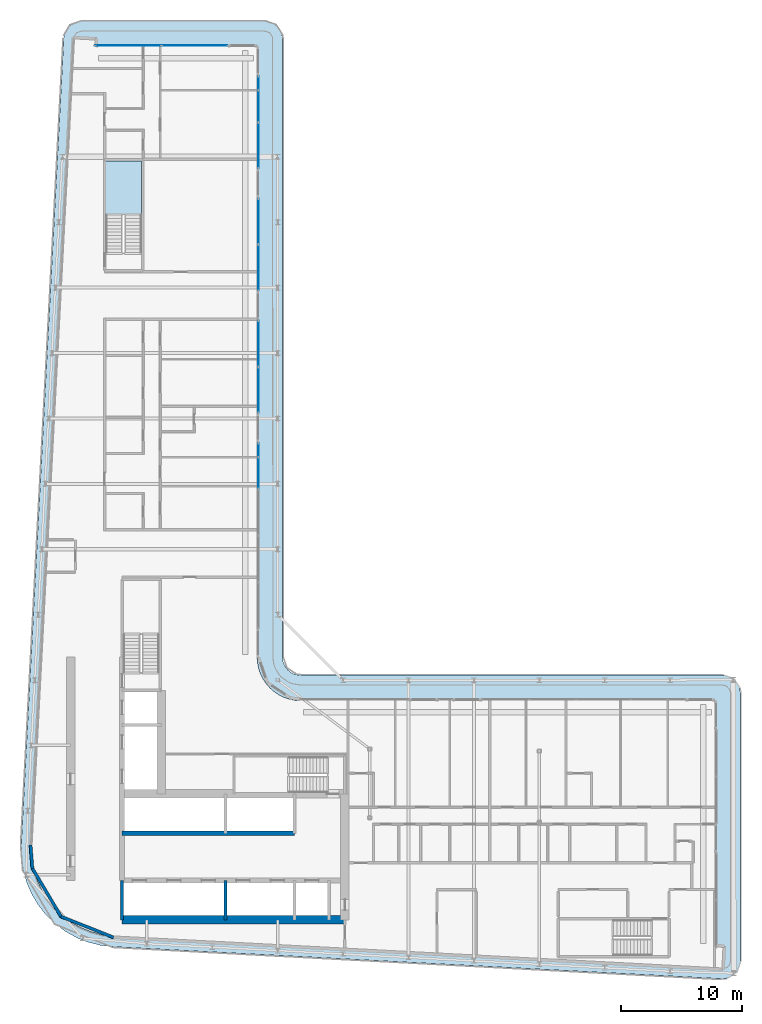
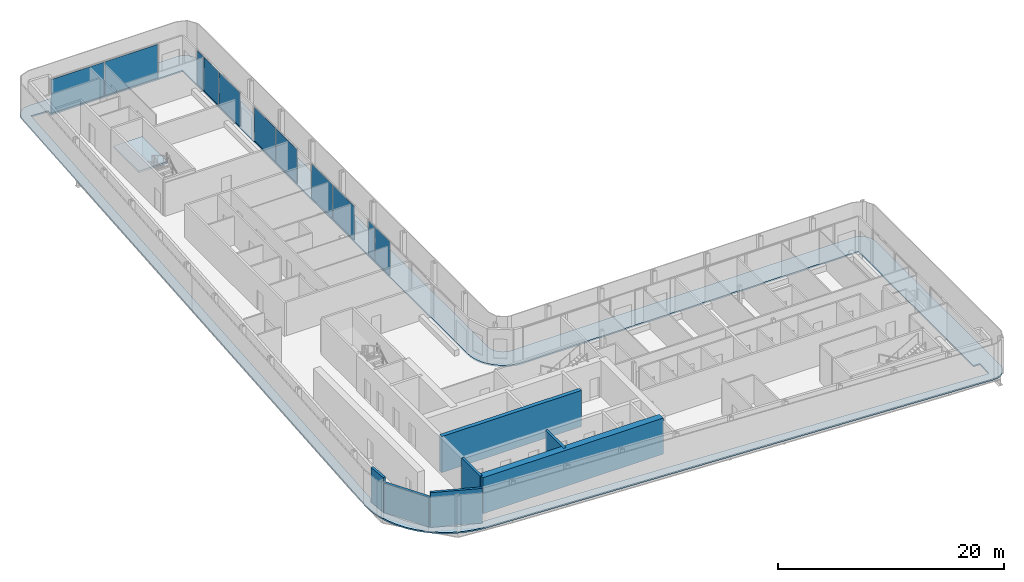
# One storey, part 9 of 23: 11 plates, 7 walls, 2 slabs, 6 elements without a shape of their own.
"""IFC4 building model written with IfcOpenShell, lengths in metres."""

from ifc_helpers import new_model, si_unit, direction, frame, frame_2d, origin, origin_2d, place, context, subcontext, project, spatial, polyline, rectangle, outline, extrude, material, layer, layer_set, type_object, element, aggregate, save


model = new_model("IFC4")

# Units and contexts
model_context = context("Model", 3, precision=1e-05, world=origin(), true_north=direction((0.0, 1.0)))
body_context = subcontext(model_context, "Body", "Model", "MODEL_VIEW")
ifc_project = project(units=[si_unit("LENGTHUNIT", "METRE"), si_unit("AREAUNIT", "SQUARE_METRE"), si_unit("VOLUMEUNIT", "CUBIC_METRE"), si_unit("PLANEANGLEUNIT", "RADIAN"), si_unit("MASSUNIT", "GRAM", prefix="KILO")], contexts=[model_context])

# Site, building, storey
site_placement = place(None, origin())
site = spatial("IfcSite", under=ifc_project, at=site_placement, CompositionType="ELEMENT")
building_placement = place(site_placement, origin())
building = spatial("IfcBuilding", under=site, at=building_placement, Name="Kheshtan School and Residences Tower", CompositionType="ELEMENT")
storey_placement = place(building_placement, frame((0.0, 0.0, 259.10009765625)))
storey = spatial("IfcBuildingStorey", under=building, at=storey_placement, Name="L61", CompositionType="ELEMENT", Elevation=259.10009765625)

# Curtain wall, plates
ifc_material_1 = material(Name="Clear low-e glass in thermally broken aluminium frame", Category="aluminium")
ifc_layer_1 = layer(ifc_material_1, 0.199951171875)
ifc_layer_set_1 = layer_set([ifc_layer_1], Name="Curtain wall CW-L")
curtain_wall_type = type_object("IfcCurtainWallType", Name="Curtain wall CW-L", PredefinedType="NOTDEFINED", material=ifc_layer_set_1)
curtain_wall_1_placement = place(storey_placement, origin())
curtain_wall_1 = element("IfcCurtainWall", 1, at=curtain_wall_1_placement, inside=storey, type_object=curtain_wall_type, Name="Curtain wall CWL7", PredefinedType="NOTDEFINED")
ifc_layer_2 = layer(ifc_material_1, 0.031982421875)
ifc_layer_set_2 = layer_set([ifc_layer_2], Name="CW-L glass panel")
plate_type = type_object("IfcPlateType", Name="CW-L glass panel", PredefinedType="CURTAIN_PANEL", material=ifc_layer_set_2)
plate_1_placement = place(storey_placement, frame((35.259033203125, 98.0, 0.0), z_axis=(0.0, 0.0, 1.0), x_axis=(1.0, 0.0, 0.0)))
plate_1 = element("IfcPlate", 2, at=plate_1_placement, type_object=plate_type, Name="CWL7 panel 1.1", PredefinedType="CURTAIN_PANEL", context=body_context, shape_type="SweptSolid", body=[
    extrude(rectangle(XDim=5.4140625, YDim=0.031982421875, at=origin_2d()), origin(), (0.0, 0.0, 1.0), 3.6298828125),
])
plate_2_placement = place(storey_placement, frame((40.73291015625, 98.0, 0.0), z_axis=(0.0, 0.0, 1.0), x_axis=(1.0, 0.0, 0.0)))
plate_2 = element("IfcPlate", 3, at=plate_2_placement, type_object=plate_type, Name="CWL7 panel 2.1", PredefinedType="CURTAIN_PANEL", context=body_context, shape_type="SweptSolid", body=[
    extrude(rectangle(XDim=5.4140625, YDim=0.031982421875, at=origin_2d()), origin(), (0.0, 0.0, 1.0), 3.6298828125),
])
aggregate(curtain_wall_1, [plate_1, plate_2])

curtain_wall_2_placement = place(storey_placement, origin())
curtain_wall_2 = element("IfcCurtainWall", 4, at=curtain_wall_2_placement, inside=storey, type_object=curtain_wall_type, Name="Curtain wall CWL8c", PredefinedType="NOTDEFINED")
plate_3_placement = place(storey_placement, frame((46.0, 94.885009765625, 0.0), z_axis=(0.0, 0.0, 1.0), x_axis=(0.0, -1.0, 0.0)))
plate_3 = element("IfcPlate", 5, at=plate_3_placement, type_object=plate_type, Name="CWL8c panel 1.1", PredefinedType="CURTAIN_PANEL", context=body_context, shape_type="SweptSolid", body=[
    extrude(rectangle(XDim=1.110107421875, YDim=0.031982421875, at=origin_2d()), origin(), (0.0, 0.0, 1.0), 3.6298828125),
])
plate_4_placement = place(storey_placement, frame((46.0, 92.9765625, 0.0), z_axis=(0.0, 0.0, 1.0), x_axis=(0.0, -1.0, 0.0)))
plate_4 = element("IfcPlate", 6, at=plate_4_placement, type_object=plate_type, Name="CWL8c panel 2.1", PredefinedType="CURTAIN_PANEL", context=body_context, shape_type="SweptSolid", body=[
    extrude(rectangle(XDim=2.5869140625, YDim=0.031982421875, at=origin_2d()), origin(), (0.0, 0.0, 1.0), 3.6298828125),
])
plate_5_placement = place(storey_placement, frame((46.0, 89.744384765625, 0.0), z_axis=(0.0, 0.0, 1.0), x_axis=(0.0, -1.0, 0.0)))
plate_5 = element("IfcPlate", 7, at=plate_5_placement, type_object=plate_type, Name="CWL8c panel 3.1", PredefinedType="CURTAIN_PANEL", context=body_context, shape_type="SweptSolid", body=[
    extrude(rectangle(XDim=3.757080078125, YDim=0.031982421875, at=origin_2d()), origin(), (0.0, 0.0, 1.0), 3.6298828125),
])
aggregate(curtain_wall_2, [plate_3, plate_4, plate_5])

curtain_wall_3_placement = place(storey_placement, origin())
curtain_wall_3 = element("IfcCurtainWall", 8, at=curtain_wall_3_placement, inside=storey, type_object=curtain_wall_type, Name="Curtain wall CWL8", PredefinedType="NOTDEFINED")
plate_6_placement = place(storey_placement, frame((46.0, 83.467529296875, 0.0), z_axis=(0.0, 0.0, 1.0), x_axis=(0.0, -1.0, 0.0)))
plate_6 = element("IfcPlate", 9, at=plate_6_placement, type_object=plate_type, Name="CWL8 panel 1.1", PredefinedType="CURTAIN_PANEL", context=body_context, shape_type="SweptSolid", body=[
    extrude(rectangle(XDim=3.757080078125, YDim=0.031982421875, at=origin_2d()), origin(), (0.0, 0.0, 1.0), 3.6298828125),
])
plate_7_placement = place(storey_placement, frame((46.0, 79.650390625, 0.0), z_axis=(0.0, 0.0, 1.0), x_axis=(0.0, -1.0, 0.0)))
plate_7 = element("IfcPlate", 10, at=plate_7_placement, type_object=plate_type, Name="CWL8 panel 2.1", PredefinedType="CURTAIN_PANEL", context=body_context, shape_type="SweptSolid", body=[
    extrude(rectangle(XDim=3.757080078125, YDim=0.031982421875, at=origin_2d()), origin(), (0.0, 0.0, 1.0), 3.6298828125),
])
aggregate(curtain_wall_3, [plate_6, plate_7])

curtain_wall_4_placement = place(storey_placement, origin())
curtain_wall_4 = element("IfcCurtainWall", 11, at=curtain_wall_4_placement, inside=storey, type_object=curtain_wall_type, Name="Curtain wall CWL8", PredefinedType="NOTDEFINED")
plate_8_placement = place(storey_placement, frame((46.0, 73.37353515625, 0.0), z_axis=(0.0, 0.0, 1.0), x_axis=(0.0, -1.0, 0.0)))
plate_8 = element("IfcPlate", 12, at=plate_8_placement, type_object=plate_type, Name="CWL8 panel 1.1", PredefinedType="CURTAIN_PANEL", context=body_context, shape_type="SweptSolid", body=[
    extrude(rectangle(XDim=3.757080078125, YDim=0.031982421875, at=origin_2d()), origin(), (0.0, 0.0, 1.0), 3.6298828125),
])
plate_9_placement = place(storey_placement, frame((46.0, 69.556396484375, 0.0), z_axis=(0.0, 0.0, 1.0), x_axis=(0.0, -1.0, 0.0)))
plate_9 = element("IfcPlate", 13, at=plate_9_placement, type_object=plate_type, Name="CWL8 panel 2.1", PredefinedType="CURTAIN_PANEL", context=body_context, shape_type="SweptSolid", body=[
    extrude(rectangle(XDim=3.757080078125, YDim=0.031982421875, at=origin_2d()), origin(), (0.0, 0.0, 1.0), 3.6298828125),
])
aggregate(curtain_wall_4, [plate_8, plate_9])

curtain_wall_5_placement = place(storey_placement, origin())
curtain_wall_5 = element("IfcCurtainWall", 14, at=curtain_wall_5_placement, inside=storey, type_object=curtain_wall_type, Name="Curtain wall CWL8c", PredefinedType="NOTDEFINED")
plate_10_placement = place(storey_placement, frame((46.0, 64.593994140625, 0.0), z_axis=(0.0, 0.0, 1.0), x_axis=(0.0, -1.0, 0.0)))
plate_10 = element("IfcPlate", 15, at=plate_10_placement, type_object=plate_type, Name="CWL8c panel 1.1", PredefinedType="CURTAIN_PANEL", context=body_context, shape_type="SweptSolid", body=[
    extrude(rectangle(XDim=1.1279296875, YDim=0.031982421875, at=origin_2d()), origin(), (0.0, 0.0, 1.0), 3.6298828125),
])
plate_11_placement = place(storey_placement, frame((46.0, 62.685546875, 0.0), z_axis=(0.0, 0.0, 1.0), x_axis=(0.0, -1.0, 0.0)))
plate_11 = element("IfcPlate", 16, at=plate_11_placement, type_object=plate_type, Name="CWL8c panel 2.1", PredefinedType="CURTAIN_PANEL", context=body_context, shape_type="SweptSolid", body=[
    extrude(rectangle(XDim=2.569091796875, YDim=0.031982421875, at=origin_2d()), origin(), (0.0, 0.0, 1.0), 3.6298828125),
])
aggregate(curtain_wall_5, [plate_10, plate_11])

# Slab
ifc_material_2 = material(Name="Concrete C40/50", Category="concrete")
ifc_layer_3 = layer(ifc_material_2, 0.14990234375)
ifc_layer_set_3 = layer_set([ifc_layer_3], Name="Loggia balcony slab 150 Concrete C40/50")
slab_type_1 = type_object("IfcSlabType", Name="Loggia balcony slab 150 Concrete C40/50", PredefinedType="FLOOR", material=ifc_layer_set_3)
slab_1_placement = place(storey_placement, frame((0.0, 0.0, -0.150146484375)))
element("IfcSlab", 17, at=slab_1_placement, inside=storey, type_object=slab_type_1, Name="Loggia balcony slab L61", PredefinedType="FLOOR", context=body_context, shape_type="SweptSolid", body=[
    extrude(outline(polyline([(28.4580078125, 26.222900390625), (28.45703125, 26.222900390625), (28.45703125, 26.22412109375), (28.4560546875, 26.22412109375), (27.81494140625, 27.0390625), (27.281005859375, 27.93798828125), (26.867919921875, 28.89990234375), (26.583984375, 29.89990234375), (26.583984375, 29.906982421875), (26.43408203125, 30.943115234375), (26.419921875, 31.989013671875), (29.925048828125, 98.5791015625), (29.930908203125, 98.626953125), (29.930908203125, 98.6279296875), (29.929931640625, 98.6279296875), (29.929931640625, 98.62890625), (29.928955078125, 98.62890625), (29.928955078125, 98.6298828125), (29.927978515625, 98.6298828125), (29.927978515625, 98.631103515625), (29.927001953125, 98.631103515625), (29.927001953125, 98.632080078125), (29.927001953125, 98.633056640625), (29.945068359375, 98.781005859375), (29.945068359375, 98.783935546875), (29.945068359375, 98.784912109375), (29.946044921875, 98.784912109375), (29.946044921875, 98.785888671875), (29.947021484375, 98.785888671875), (29.947021484375, 98.787109375), (29.947998046875, 98.787109375), (29.948974609375, 98.787109375), (29.948974609375, 98.7880859375), (29.949951171875, 98.7880859375), (29.949951171875, 98.7890625), (29.949951171875, 98.791015625), (30.0029296875, 98.98388671875), (30.083984375, 99.175048828125), (30.18896484375, 99.35302734375), (30.31103515625, 99.507080078125), (30.31201171875, 99.507080078125), (30.31201171875, 99.508056640625), (30.31298828125, 99.508056640625), (30.31298828125, 99.509033203125), (30.31396484375, 99.509033203125), (30.31396484375, 99.510009765625), (30.31494140625, 99.510009765625), (30.31494140625, 99.510986328125), (30.31591796875, 99.510986328125), (30.31591796875, 99.511962890625), (30.31689453125, 99.511962890625), (30.31689453125, 99.512939453125), (30.318115234375, 99.512939453125), (30.322021484375, 99.512939453125), (30.322998046875, 99.512939453125), (30.322998046875, 99.513916015625), (30.468017578125, 99.656982421875), (30.468994140625, 99.656982421875), (30.468994140625, 99.657958984375), (30.469970703125, 99.657958984375), (30.469970703125, 99.658935546875), (30.470947265625, 99.658935546875), (30.470947265625, 99.659912109375), (30.471923828125, 99.659912109375), (30.471923828125, 99.660888671875), (30.472900390625, 99.660888671875), (30.472900390625, 99.662109375), (30.47412109375, 99.662109375), (30.47412109375, 99.6630859375), (30.47509765625, 99.6630859375), (30.47509765625, 99.6640625), (30.635986328125, 99.777099609375), (30.820068359375, 99.873046875), (31.007080078125, 99.943115234375), (31.013916015625, 99.943115234375), (31.217041015625, 99.986083984375), (31.423095703125, 100.0), (46.5, 100.0), (46.696044921875, 99.987060546875), (46.887939453125, 99.948974609375), (46.89501953125, 99.948974609375), (47.073974609375, 99.885986328125), (47.242919921875, 99.801025390625), (47.243896484375, 99.801025390625), (47.2470703125, 99.801025390625), (47.248046875, 99.801025390625), (47.248046875, 99.802001953125), (47.2490234375, 99.802001953125), (47.2490234375, 99.802978515625), (47.25, 99.802978515625), (47.2529296875, 99.802978515625), (47.25390625, 99.802978515625), (47.25390625, 99.802001953125), (47.2548828125, 99.802001953125), (47.2548828125, 99.801025390625), (47.256103515625, 99.801025390625), (47.256103515625, 99.800048828125), (47.257080078125, 99.800048828125), (47.257080078125, 99.799072265625), (47.258056640625, 99.799072265625), (47.258056640625, 99.798095703125), (47.412109375, 99.696044921875), (47.4130859375, 99.696044921875), (47.4130859375, 99.695068359375), (47.4140625, 99.695068359375), (47.4140625, 99.694091796875), (47.4140625, 99.68994140625), (47.4140625, 99.68896484375), (47.4150390625, 99.68896484375), (47.4150390625, 99.68798828125), (47.416015625, 99.68798828125), (47.416015625, 99.68701171875), (47.4169921875, 99.68701171875), (47.4169921875, 99.68603515625), (47.554931640625, 99.568115234375), (47.554931640625, 99.56689453125), (47.555908203125, 99.56689453125), (47.555908203125, 99.56591796875), (47.556884765625, 99.56591796875), (47.556884765625, 99.56494140625), (47.55810546875, 99.56494140625), (47.55810546875, 99.56396484375), (47.55908203125, 99.56396484375), (47.55908203125, 99.56298828125), (47.56005859375, 99.56298828125), (47.56005859375, 99.56201171875), (47.56103515625, 99.56201171875), (47.56201171875, 99.56103515625), (47.56201171875, 99.56005859375), (47.56298828125, 99.56005859375), (47.56298828125, 99.55908203125), (47.56396484375, 99.55908203125), (47.56396484375, 99.55810546875), (47.56494140625, 99.55810546875), (47.56494140625, 99.556884765625), (47.56591796875, 99.556884765625), (47.56591796875, 99.555908203125), (47.56689453125, 99.555908203125), (47.56689453125, 99.554931640625), (47.568115234375, 99.554931640625), (47.68505859375, 99.41796875), (47.68603515625, 99.41796875), (47.68603515625, 99.4169921875), (47.68701171875, 99.4169921875), (47.68701171875, 99.416015625), (47.68798828125, 99.416015625), (47.68798828125, 99.4150390625), (47.68896484375, 99.4150390625), (47.68896484375, 99.4140625), (47.68994140625, 99.4140625), (47.694091796875, 99.4140625), (47.695068359375, 99.4140625), (47.695068359375, 99.4130859375), (47.696044921875, 99.4130859375), (47.696044921875, 99.412109375), (47.797119140625, 99.259033203125), (47.798095703125, 99.259033203125), (47.798095703125, 99.258056640625), (47.799072265625, 99.258056640625), (47.799072265625, 99.257080078125), (47.800048828125, 99.257080078125), (47.800048828125, 99.256103515625), (47.801025390625, 99.256103515625), (47.801025390625, 99.2548828125), (47.802001953125, 99.2548828125), (47.802001953125, 99.25390625), (47.802978515625, 99.25390625), (47.802978515625, 99.2529296875), (47.802978515625, 99.25), (47.802978515625, 99.2490234375), (47.802001953125, 99.2490234375), (47.802001953125, 99.248046875), (47.801025390625, 99.248046875), (47.801025390625, 99.2470703125), (47.801025390625, 99.242919921875), (47.801025390625, 99.241943359375), (47.885986328125, 99.073974609375), (47.948974609375, 98.89501953125), (47.948974609375, 98.887939453125), (47.987060546875, 98.696044921875), (48.0, 98.5), (48.0, 47.5), (48.012939453125, 47.303955078125), (48.051025390625, 47.113037109375), (48.051025390625, 47.10693359375), (48.051025390625, 47.10595703125), (48.114013671875, 46.926025390625), (48.200927734375, 46.75), (48.31005859375, 46.5869140625), (48.431884765625, 46.444091796875), (48.43310546875, 46.444091796875), (48.43310546875, 46.443115234375), (48.43408203125, 46.443115234375), (48.43408203125, 46.44189453125), (48.43505859375, 46.44189453125), (48.43505859375, 46.44091796875), (48.43603515625, 46.44091796875), (48.43603515625, 46.43994140625), (48.43701171875, 46.43994140625), (48.43701171875, 46.43896484375), (48.43798828125, 46.43896484375), (48.43896484375, 46.43798828125), (48.43896484375, 46.43701171875), (48.43994140625, 46.43701171875), (48.43994140625, 46.43603515625), (48.44091796875, 46.43603515625), (48.44091796875, 46.43505859375), (48.44189453125, 46.43505859375), (48.44189453125, 46.43408203125), (48.443115234375, 46.43408203125), (48.443115234375, 46.43310546875), (48.444091796875, 46.43310546875), (48.444091796875, 46.431884765625), (48.5869140625, 46.31005859375), (48.75, 46.200927734375), (48.926025390625, 46.114013671875), (49.10595703125, 46.051025390625), (49.10693359375, 46.051025390625), (49.113037109375, 46.051025390625), (49.303955078125, 46.012939453125), (49.5, 46.0), (84.300048828125, 46.0), (84.49609375, 45.987060546875), (84.68798828125, 45.948974609375), (84.695068359375, 45.948974609375), (84.8740234375, 45.885986328125), (85.0419921875, 45.801025390625), (85.04296875, 45.801025390625), (85.047119140625, 45.801025390625), (85.048095703125, 45.801025390625), (85.048095703125, 45.802001953125), (85.049072265625, 45.802001953125), (85.049072265625, 45.802978515625), (85.050048828125, 45.802978515625), (85.052978515625, 45.802978515625), (85.053955078125, 45.802978515625), (85.053955078125, 45.802001953125), (85.054931640625, 45.802001953125), (85.054931640625, 45.801025390625), (85.055908203125, 45.801025390625), (85.055908203125, 45.800048828125), (85.056884765625, 45.800048828125), (85.056884765625, 45.799072265625), (85.05810546875, 45.799072265625), (85.05810546875, 45.798095703125), (85.05908203125, 45.798095703125), (85.05908203125, 45.797119140625), (85.06005859375, 45.797119140625), (85.06005859375, 45.7958984375), (85.2119140625, 45.696044921875), (85.212890625, 45.696044921875), (85.212890625, 45.695068359375), (85.214111328125, 45.695068359375), (85.214111328125, 45.694091796875), (85.214111328125, 45.68994140625), (85.214111328125, 45.68896484375), (85.215087890625, 45.68896484375), (85.215087890625, 45.68798828125), (85.216064453125, 45.68798828125), (85.216064453125, 45.68701171875), (85.217041015625, 45.68701171875), (85.217041015625, 45.68603515625), (85.218017578125, 45.68603515625), (85.218017578125, 45.68505859375), (85.218994140625, 45.68505859375), (85.218994140625, 45.68408203125), (85.35498046875, 45.568115234375), (85.35498046875, 45.56689453125), (85.35595703125, 45.56689453125), (85.35595703125, 45.56591796875), (85.35693359375, 45.56591796875), (85.35693359375, 45.56494140625), (85.35791015625, 45.56494140625), (85.35791015625, 45.56396484375), (85.35888671875, 45.56396484375), (85.35888671875, 45.56298828125), (85.360107421875, 45.56298828125), (85.360107421875, 45.56201171875), (85.361083984375, 45.56201171875), (85.362060546875, 45.56103515625), (85.362060546875, 45.56005859375), (85.363037109375, 45.56005859375), (85.363037109375, 45.55908203125), (85.364013671875, 45.55908203125), (85.364013671875, 45.55810546875), (85.364990234375, 45.55810546875), (85.364990234375, 45.556884765625), (85.365966796875, 45.556884765625), (85.365966796875, 45.555908203125), (85.366943359375, 45.555908203125), (85.366943359375, 45.554931640625), (85.367919921875, 45.554931640625), (85.48193359375, 45.4208984375), (85.48291015625, 45.4208984375), (85.48291015625, 45.419921875), (85.48388671875, 45.419921875), (85.48388671875, 45.4189453125), (85.485107421875, 45.4189453125), (85.485107421875, 45.41796875), (85.486083984375, 45.41796875), (85.486083984375, 45.4169921875), (85.487060546875, 45.4169921875), (85.487060546875, 45.416015625), (85.488037109375, 45.416015625), (85.488037109375, 45.4150390625), (85.489013671875, 45.4150390625), (85.489013671875, 45.4140625), (85.489990234375, 45.4140625), (85.493896484375, 45.4140625), (85.4951171875, 45.4140625), (85.4951171875, 45.4130859375), (85.49609375, 45.4130859375), (85.49609375, 45.412109375), (85.593994140625, 45.261962890625), (85.594970703125, 45.261962890625), (85.594970703125, 45.260986328125), (85.595947265625, 45.260986328125), (85.595947265625, 45.260009765625), (85.596923828125, 45.260009765625), (85.596923828125, 45.259033203125), (85.597900390625, 45.259033203125), (85.597900390625, 45.258056640625), (85.59912109375, 45.258056640625), (85.59912109375, 45.257080078125), (85.60009765625, 45.257080078125), (85.60009765625, 45.256103515625), (85.60107421875, 45.256103515625), (85.60107421875, 45.2548828125), (85.60205078125, 45.2548828125), (85.60205078125, 45.25390625), (85.60302734375, 45.25390625), (85.60302734375, 45.2529296875), (85.60302734375, 45.25), (85.60302734375, 45.2490234375), (85.60205078125, 45.2490234375), (85.60205078125, 45.248046875), (85.60107421875, 45.248046875), (85.60107421875, 45.2470703125), (85.60107421875, 45.240966796875), (85.60107421875, 45.239990234375), (85.68603515625, 45.073974609375), (85.7490234375, 44.89501953125), (85.7490234375, 44.887939453125), (85.787109375, 44.696044921875), (85.800048828125, 44.5), (85.800048828125, 22.43408203125), (85.785888671875, 22.23095703125), (85.7451171875, 22.032958984375), (85.7451171875, 22.02587890625), (85.677978515625, 21.841064453125), (85.5859375, 21.660888671875), (85.470947265625, 21.49609375), (85.470947265625, 21.4951171875), (85.470947265625, 21.493896484375), (85.470947265625, 21.492919921875), (85.471923828125, 21.492919921875), (85.471923828125, 21.491943359375), (85.471923828125, 21.489990234375), (85.471923828125, 21.489013671875), (85.470947265625, 21.489013671875), (85.470947265625, 21.488037109375), (85.337890625, 21.343994140625), (85.3349609375, 21.341064453125), (85.333984375, 21.341064453125), (85.333984375, 21.340087890625), (85.3330078125, 21.340087890625), (85.3310546875, 21.340087890625), (85.330078125, 21.340087890625), (85.330078125, 21.341064453125), (85.3291015625, 21.341064453125), (85.327880859375, 21.341064453125), (85.326904296875, 21.341064453125), (85.176025390625, 21.216064453125), (85.00390625, 21.10888671875), (84.819091796875, 21.02587890625), (84.631103515625, 20.968994140625), (84.6240234375, 20.968994140625), (84.424072265625, 20.93896484375), (84.220947265625, 20.93603515625), (33.989013671875, 23.580078125), (33.94189453125, 23.5859375), (33.94091796875, 23.5859375), (33.93994140625, 23.5859375), (33.93994140625, 23.5849609375), (33.93896484375, 23.5849609375), (33.93896484375, 23.583984375), (33.93798828125, 23.583984375), (33.93798828125, 23.5830078125), (33.93701171875, 23.5830078125), (33.93701171875, 23.58203125), (33.93603515625, 23.58203125), (33.93505859375, 23.58203125), (32.952880859375, 23.697998046875), (32.949951171875, 23.697998046875), (32.948974609375, 23.697998046875), (32.948974609375, 23.698974609375), (32.947998046875, 23.698974609375), (32.947998046875, 23.699951171875), (32.947021484375, 23.699951171875), (32.947021484375, 23.700927734375), (32.947021484375, 23.702880859375), (32.947021484375, 23.7041015625), (32.946044921875, 23.7041015625), (32.946044921875, 23.705078125), (32.945068359375, 23.705078125), (32.944091796875, 23.705078125), (31.93603515625, 23.9609375), (31.928955078125, 23.9609375), (30.964111328125, 24.34912109375), (30.051025390625, 24.860107421875), (29.218994140625, 25.47900390625), (29.218994140625, 25.47998046875), (29.218017578125, 25.47998046875), (29.218017578125, 25.48095703125), (29.217041015625, 25.48095703125), (29.217041015625, 25.48193359375), (29.216064453125, 25.48193359375), (29.216064453125, 25.48291015625), (29.215087890625, 25.48291015625), (29.215087890625, 25.48388671875), (29.214111328125, 25.48388671875), (29.214111328125, 25.485107421875), (29.212890625, 25.485107421875), (29.212890625, 25.486083984375), (29.2119140625, 25.486083984375), (28.468017578125, 26.217041015625), (28.468017578125, 26.218017578125), (28.467041015625, 26.218017578125), (28.462890625, 26.218017578125), (28.4619140625, 26.218017578125), (28.4619140625, 26.218994140625), (28.4609375, 26.218994140625), (28.4609375, 26.219970703125), (28.4599609375, 26.219970703125), (28.4599609375, 26.220947265625), (28.458984375, 26.220947265625), (28.458984375, 26.221923828125), (28.4580078125, 26.221923828125), (28.4580078125, 26.222900390625)]), holes=[polyline([(29.12890625, 26.824951171875), (29.12890625, 26.823974609375), (29.1298828125, 26.823974609375), (29.1298828125, 26.822998046875), (29.131103515625, 26.822998046875), (29.131103515625, 26.822021484375), (29.132080078125, 26.822021484375), (29.132080078125, 26.821044921875), (29.133056640625, 26.821044921875), (29.133056640625, 26.820068359375), (29.134033203125, 26.820068359375), (29.7939453125, 26.173095703125), (29.7939453125, 26.172119140625), (29.794921875, 26.172119140625), (29.798095703125, 26.172119140625), (29.799072265625, 26.172119140625), (29.799072265625, 26.1708984375), (29.800048828125, 26.1708984375), (29.800048828125, 26.169921875), (29.801025390625, 26.169921875), (29.801025390625, 26.1689453125), (29.802001953125, 26.1689453125), (29.802001953125, 26.16796875), (29.802978515625, 26.16796875), (29.802978515625, 26.1669921875), (29.803955078125, 26.1669921875), (29.803955078125, 26.166015625), (30.541015625, 25.616943359375), (31.35205078125, 25.1630859375), (32.208984375, 24.819091796875), (32.2099609375, 24.819091796875), (32.216064453125, 24.819091796875), (33.114990234375, 24.590087890625), (34.06591796875, 24.47705078125), (84.238037109375, 21.8359375), (84.264892578125, 21.8369140625), (84.26611328125, 21.8369140625), (84.26708984375, 21.8369140625), (84.26708984375, 21.837890625), (84.26806640625, 21.837890625), (84.26806640625, 21.839111328125), (84.26806640625, 21.840087890625), (84.35791015625, 23.529052734375), (84.35791015625, 23.530029296875), (84.35791015625, 23.531005859375), (84.35693359375, 23.531005859375), (84.35693359375, 23.531982421875), (84.35595703125, 23.531982421875), (84.35498046875, 23.531982421875), (83.700927734375, 23.56689453125), (83.699951171875, 23.56689453125), (83.699951171875, 23.568115234375), (83.699951171875, 43.89794921875), (83.699951171875, 43.89892578125), (83.698974609375, 43.89892578125), (83.698974609375, 43.89990234375), (83.697998046875, 43.89990234375), (49.429931640625, 43.89990234375), (49.030029296875, 43.927001953125), (48.569091796875, 44.01806640625), (48.56201171875, 44.01806640625), (48.1201171875, 44.169921875), (47.697021484375, 44.37890625), (47.30810546875, 44.638916015625), (46.95703125, 44.944091796875), (46.95703125, 44.945068359375), (46.9560546875, 44.945068359375), (46.9560546875, 44.946044921875), (46.955078125, 44.946044921875), (46.955078125, 44.947021484375), (46.9541015625, 44.947021484375), (46.9541015625, 44.947998046875), (46.952880859375, 44.947998046875), (46.952880859375, 44.948974609375), (46.951904296875, 44.948974609375), (46.951904296875, 44.949951171875), (46.951904296875, 44.950927734375), (46.950927734375, 44.950927734375), (46.950927734375, 44.951904296875), (46.949951171875, 44.951904296875), (46.948974609375, 44.951904296875), (46.948974609375, 44.952880859375), (46.947998046875, 44.952880859375), (46.947998046875, 44.9541015625), (46.947021484375, 44.9541015625), (46.947021484375, 44.955078125), (46.946044921875, 44.955078125), (46.946044921875, 44.9560546875), (46.945068359375, 44.9560546875), (46.945068359375, 44.95703125), (46.944091796875, 44.95703125), (46.638916015625, 45.30810546875), (46.37890625, 45.697021484375), (46.169921875, 46.1201171875), (46.01806640625, 46.56201171875), (46.01806640625, 46.569091796875), (45.927001953125, 47.030029296875), (45.89990234375, 47.429931640625), (45.89990234375, 97.89794921875), (45.89990234375, 97.89892578125), (45.89892578125, 97.89892578125), (45.89892578125, 97.89990234375), (45.89794921875, 97.89990234375), (32.492919921875, 97.89990234375), (32.491943359375, 97.89990234375), (32.52099609375, 98.43896484375), (32.52099609375, 98.43994140625), (32.52099609375, 98.44091796875), (32.52001953125, 98.44091796875), (32.52001953125, 98.44189453125), (32.51904296875, 98.44189453125), (32.51806640625, 98.44189453125), (30.8291015625, 98.531982421875), (30.827880859375, 98.531982421875), (30.826904296875, 98.531982421875), (30.826904296875, 98.531005859375), (30.825927734375, 98.531005859375), (30.825927734375, 98.530029296875), (30.825927734375, 98.529052734375), (30.822021484375, 98.5009765625), (27.320068359375, 31.970947265625), (27.3330078125, 31.013916015625), (27.466064453125, 30.093994140625), (27.466064453125, 30.087890625), (27.466064453125, 30.0869140625), (27.718017578125, 29.200927734375), (28.0849609375, 28.345947265625), (28.55908203125, 27.550048828125), (29.126953125, 26.825927734375), (29.1279296875, 26.825927734375), (29.1279296875, 26.824951171875), (29.12890625, 26.824951171875)])]), origin(), (0.0, 0.0, 1.0), 0.150146484375),
])

# Stair, slab
stair_type = type_object("IfcStairType", Name="Exit stair, half-turn", PredefinedType="HALF_TURN_STAIR", material=ifc_material_2)
stair_placement = place(storey_placement, origin())
stair = element("IfcStair", 18, at=stair_placement, inside=storey, type_object=stair_type, Name="L61 Protected Exit Stair ST3", PredefinedType="HALF_TURN_STAIR")
ifc_layer_4 = layer(ifc_material_2, 0.199951171875)
ifc_layer_set_4 = layer_set([ifc_layer_4], Name="Stair landing 200 Concrete C40/50")
slab_type_2 = type_object("IfcSlabType", Name="Stair landing 200 Concrete C40/50", PredefinedType="LANDING", material=ifc_layer_set_4)
slab_2_placement = place(storey_placement, frame((0.0, 0.0, 1.75)))
slab_2 = element("IfcSlab", 19, at=slab_2_placement, type_object=slab_type_2, Name="ST3 landing 1", PredefinedType="LANDING", context=body_context, shape_type="SweptSolid", body=[
    extrude(outline(polyline([(36.35009765625, 83.97998046875), (36.35009765625, 88.4599609375), (33.39990234375, 88.4599609375), (33.39990234375, 83.97998046875), (36.35009765625, 83.97998046875)])), origin(), (0.0, 0.0, 1.0), 0.199951171875),
])
aggregate(stair, [slab_2])

# Walls
ifc_material_3 = material(Name="Concrete C50/60", Category="concrete")
ifc_layer_5 = layer(ifc_material_3, 0.39990234375)
ifc_layer_set_5 = layer_set([ifc_layer_5], Name="Core wall 400 Concrete C50/60")
wall_type_1 = type_object("IfcWallType", Name="Core wall 400 Concrete C50/60", PredefinedType="SHEAR", material=ifc_layer_set_5)
wall_1_placement = place(storey_placement, frame((34.75, 32.949951171875, 0.0), z_axis=(0.0, 0.0, 1.0), x_axis=(1.0, 0.0, 0.0)))
element("IfcWall", 20, at=wall_1_placement, inside=storey, type_object=wall_type_1, Name="Core wall CW-HALL-S2", PredefinedType="SHEAR", context=body_context, shape_type="SweptSolid", body=[
    extrude(rectangle(XDim=14.25, YDim=0.39990234375, at=frame_2d((7.125, 0.0))), origin(), (0.0, 0.0, 1.0), 3.89990234375),
])
ifc_material_4 = material(Name="Concrete C70/85", Category="concrete")
ifc_layer_6 = layer(ifc_material_4, 0.699951171875)
ifc_layer_set_6 = layer_set([ifc_layer_6], Name="Core wall 700 Concrete C70/85")
wall_type_2 = type_object("IfcWallType", Name="Core wall 700 Concrete C70/85", PredefinedType="SHEAR", material=ifc_layer_set_6)
wall_2_placement = place(storey_placement, frame((34.75, 25.800048828125, 0.0), z_axis=(0.0, 0.0, 1.0), x_axis=(1.0, 0.0, 0.0)))
element("IfcWall", 21, at=wall_2_placement, inside=storey, type_object=wall_type_2, Name="Core wall CW-REAR-S", PredefinedType="SHEAR", context=body_context, shape_type="SweptSolid", body=[
    extrude(rectangle(XDim=18.39990234375, YDim=0.699951171875, at=frame_2d((9.199951171875, 0.0))), origin(), (0.0, 0.0, 1.0), 3.89990234375),
])
ifc_material_5 = material(Name="Concrete C40/50 with ceramic cladding and mineral wool insulation", Category="concrete")
ifc_layer_7 = layer(ifc_material_5, 0.25)
ifc_layer_set_7 = layer_set([ifc_layer_7], Name="External wall 250 ceramic clad")
wall_type_3 = type_object("IfcWallType", Name="External wall 250 ceramic clad", PredefinedType="SOLIDWALL", material=ifc_layer_set_7)
wall_3_placement = place(storey_placement, frame((34.0390625, 24.35302734375, 0.0), z_axis=(0.0, 0.0, 1.0), x_axis=(-0.929352825399, 0.369192803184, 0.0)))
element("IfcWall", 22, at=wall_3_placement, inside=storey, type_object=wall_type_3, Name="External wall L61 1", PredefinedType="SOLIDWALL", context=body_context, shape_type="SweptSolid", body=[
    extrude(rectangle(XDim=4.656005859375, YDim=0.25, at=frame_2d((2.328125, 0.0))), origin(), (0.0, 0.0, 1.0), 3.75),
])
wall_4_placement = place(storey_placement, frame((29.7119140625, 26.072021484375, 0.0), z_axis=(0.0, 0.0, 1.0), x_axis=(-0.511028049012, 0.859564036662, 0.0)))
element("IfcWall", 23, at=wall_4_placement, inside=storey, type_object=wall_type_3, Name="External wall L61 2", PredefinedType="SOLIDWALL", context=body_context, shape_type="SweptSolid", body=[
    extrude(rectangle(XDim=4.633544921875, YDim=0.25, at=frame_2d((2.31689453125, 0.0))), origin(), (0.0, 0.0, 1.0), 3.216796875),
])
wall_5_placement = place(storey_placement, frame((27.343994140625, 30.054931640625, 0.0), z_axis=(0.0, 0.0, 1.0), x_axis=(-0.077571675317, 0.99698677784, 0.0)))
element("IfcWall", 24, at=wall_5_placement, inside=storey, type_object=wall_type_3, Name="External wall L61 3", PredefinedType="SOLIDWALL", context=body_context, shape_type="SweptSolid", body=[
    extrude(rectangle(XDim=1.919921875, YDim=0.25, at=frame_2d((0.9599609375, 0.0))), origin(), (0.0, 0.0, 1.0), 3.75),
])
ifc_material_6 = material(Name="Fire-board shaft wall system")
ifc_layer_8 = layer(ifc_material_6, 0.25)
ifc_layer_set_8 = layer_set([ifc_layer_8], Name="Shaft lining wall 250")
wall_type_4 = type_object("IfcWallType", Name="Shaft lining wall 250", PredefinedType="PARTITIONING", material=ifc_layer_set_8)
for number, where, z_axis, x_axis, name in (
    (25, (34.75, 25.800048828125, 0.0), (0.0, 0.0, 1.0), (0.0, 1.0, 0.0), "Shaft lining wall"),
    (26, (43.300048828125, 25.800048828125, 0.0), (0.0, 0.0, 1.0), (0.0, 1.0, 0.0), "Shaft lining wall"),
):
    element("IfcWall", number, at=place(storey_placement, frame(where, z_axis=z_axis, x_axis=x_axis)), inside=storey, type_object=wall_type_4, Name=name, PredefinedType="PARTITIONING", context=body_context, shape_type="SweptSolid", body=[
        extrude(rectangle(XDim=3.25, YDim=0.25, at=frame_2d((1.625, 0.0))), origin(), (0.0, 0.0, 1.0), 3.89990234375),
    ])

save(model, "model.ifc")
